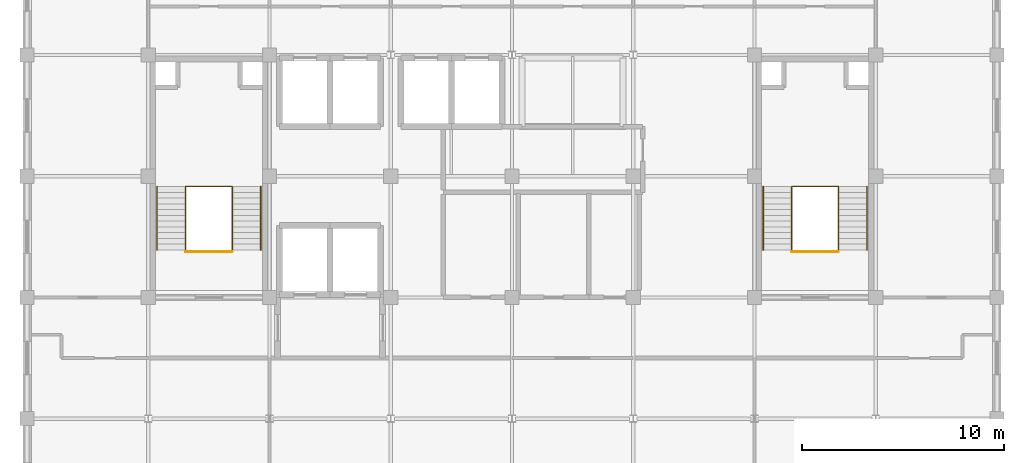
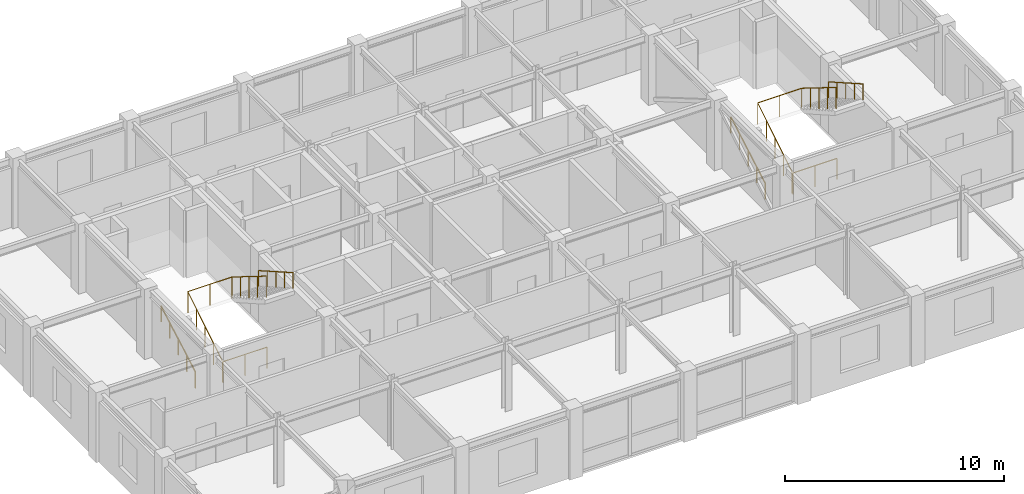
# One storey, part 13 of 13: 8 railings.
"""IFC4 building model written with IfcOpenShell, lengths in metres."""

from ifc_helpers import new_model, si_unit, direction, frame, origin, origin_2d, place, context, subcontext, project, spatial, circle, extrude, material, type_object, element, save


model = new_model("IFC4")

# Units and contexts
model_context = context("Model", 3, precision=1e-05, world=origin(), true_north=direction((0.0, 1.0)))
body_context = subcontext(model_context, "Body", "Model", "MODEL_VIEW")
ifc_project = project(units=[si_unit("LENGTHUNIT", "METRE"), si_unit("AREAUNIT", "SQUARE_METRE"), si_unit("VOLUMEUNIT", "CUBIC_METRE"), si_unit("PLANEANGLEUNIT", "RADIAN"), si_unit("MASSUNIT", "GRAM", prefix="KILO")], contexts=[model_context])

# Site, building, storey
site_placement = place(None, origin())
site = spatial("IfcSite", under=ifc_project, at=site_placement, CompositionType="ELEMENT")
building_placement = place(site_placement, origin())
building = spatial("IfcBuilding", under=site, at=building_placement, Name="Zlatovratsky Civic Hall", CompositionType="ELEMENT")
storey_placement = place(building_placement, frame((0.0, 0.0, 44.39990234375)))
storey = spatial("IfcBuildingStorey", under=building, at=storey_placement, Name="L11", CompositionType="ELEMENT", Elevation=44.39990234375)

# Railings
ifc_material = material(Name="Brushed stainless steel AISI 304", Category="steel")
railing_type_1 = type_object("IfcRailingType", Name="Railing_Guardrail_1200", PredefinedType="GUARDRAIL", material=ifc_material)
railing_1_placement = place(storey_placement, frame((67.840087890625, 86.35009765625, 0.0)))
element("IfcRailing", 1, at=railing_1_placement, inside=storey, type_object=railing_type_1, Name="RL-0544", PredefinedType="GUARDRAIL", context=body_context, shape_type="SweptSolid", body=[
    extrude(circle(Radius=0.02392578125, at=origin_2d()), frame((0.0, 0.0, 1.17578125), z_axis=(0.0, 0.849114602454, 0.528208663219), x_axis=(-1.0, 0.0, 0.0)), (0.0, 0.0, 1.0), 3.692138671875),
    extrude(circle(Radius=0.02392578125, at=origin_2d()), frame((0.0, 3.135009765625, 3.1259765625), z_axis=(1.0, 0.0, 0.0), x_axis=(0.0, 1.0, 0.0)), (0.0, 0.0, 1.0), 2.31982421875),
    extrude(circle(Radius=0.02392578125, at=origin_2d()), frame((2.31982421875, 3.135009765625, 3.1259765625), z_axis=(0.0, -0.849144259976, 0.528160984692), x_axis=(1.0, 0.0, 0.0)), (0.0, 0.0, 1.0), 3.69189453125),
    extrude(circle(Radius=0.02099609375, at=origin_2d()), origin(), (0.0, 0.0, 1.0), 1.15185546875),
    extrude(circle(Radius=0.02099609375, at=origin_2d()), frame((0.0, 0.78369140625, 0.487548828125)), (0.0, 0.0, 1.0), 1.15185546875),
    extrude(circle(Radius=0.02099609375, at=origin_2d()), frame((0.0, 1.5673828125, 0.97509765625)), (0.0, 0.0, 1.0), 1.15185546875),
    extrude(circle(Radius=0.02099609375, at=origin_2d()), frame((0.0, 2.351318359375, 1.462646484375)), (0.0, 0.0, 1.0), 1.15185546875),
    extrude(circle(Radius=0.02099609375, at=origin_2d()), frame((0.0, 3.135009765625, 1.9501953125)), (0.0, 0.0, 1.0), 1.15185546875),
    extrude(circle(Radius=0.02099609375, at=origin_2d()), frame((1.159912109375, 3.135009765625, 1.9501953125)), (0.0, 0.0, 1.0), 1.15185546875),
    extrude(circle(Radius=0.02099609375, at=origin_2d()), frame((2.31982421875, 3.135009765625, 1.9501953125)), (0.0, 0.0, 1.0), 1.15185546875),
    extrude(circle(Radius=0.02099609375, at=origin_2d()), frame((2.31982421875, 2.351318359375, 2.437744140625)), (0.0, 0.0, 1.0), 1.15185546875),
    extrude(circle(Radius=0.02099609375, at=origin_2d()), frame((2.31982421875, 1.5673828125, 2.92529296875)), (0.0, 0.0, 1.0), 1.15185546875),
    extrude(circle(Radius=0.02099609375, at=origin_2d()), frame((2.31982421875, 0.78369140625, 3.41259765625)), (0.0, 0.0, 1.0), 1.15185546875),
    extrude(circle(Radius=0.02099609375, at=origin_2d()), frame((2.31982421875, 0.0, 3.900146484375)), (0.0, 0.0, 1.0), 1.15185546875),
])
railing_2_placement = place(storey_placement, frame((67.840087890625, 86.27001953125, 0.0)))
element("IfcRailing", 2, at=railing_2_placement, inside=storey, type_object=railing_type_1, Name="RL-0547", PredefinedType="GUARDRAIL", context=body_context, shape_type="SweptSolid", body=[
    extrude(circle(Radius=0.02392578125, at=origin_2d()), frame((0.0, 0.0, 1.17578125), z_axis=(1.0, 0.0, 0.0), x_axis=(0.0, 1.0, 0.0)), (0.0, 0.0, 1.0), 2.31982421875),
    extrude(circle(Radius=0.02099609375, at=origin_2d()), origin(), (0.0, 0.0, 1.0), 1.15185546875),
    extrude(circle(Radius=0.02099609375, at=origin_2d()), frame((1.159912109375, 0.0, 0.0)), (0.0, 0.0, 1.0), 1.15185546875),
    extrude(circle(Radius=0.02099609375, at=origin_2d()), frame((2.31982421875, 0.0, 0.0)), (0.0, 0.0, 1.0), 1.15185546875),
])
railing_3_placement = place(storey_placement, frame((97.840087890625, 86.35009765625, 0.0)))
element("IfcRailing", 3, at=railing_3_placement, inside=storey, type_object=railing_type_1, Name="RL-0620", PredefinedType="GUARDRAIL", context=body_context, shape_type="SweptSolid", body=[
    extrude(circle(Radius=0.02392578125, at=origin_2d()), frame((0.0, 0.0, 1.17578125), z_axis=(0.0, 0.849114602454, 0.528208663219), x_axis=(-1.0, 0.0, 0.0)), (0.0, 0.0, 1.0), 3.692138671875),
    extrude(circle(Radius=0.02392578125, at=origin_2d()), frame((0.0, 3.135009765625, 3.1259765625), z_axis=(1.0, 0.0, 0.0), x_axis=(0.0, 1.0, 0.0)), (0.0, 0.0, 1.0), 2.31982421875),
    extrude(circle(Radius=0.02392578125, at=origin_2d()), frame((2.31982421875, 3.135009765625, 3.1259765625), z_axis=(0.0, -0.849144259976, 0.528160984692), x_axis=(1.0, 0.0, 0.0)), (0.0, 0.0, 1.0), 3.69189453125),
    extrude(circle(Radius=0.02099609375, at=origin_2d()), origin(), (0.0, 0.0, 1.0), 1.15185546875),
    extrude(circle(Radius=0.02099609375, at=origin_2d()), frame((0.0, 0.78369140625, 0.487548828125)), (0.0, 0.0, 1.0), 1.15185546875),
    extrude(circle(Radius=0.02099609375, at=origin_2d()), frame((0.0, 1.5673828125, 0.97509765625)), (0.0, 0.0, 1.0), 1.15185546875),
    extrude(circle(Radius=0.02099609375, at=origin_2d()), frame((0.0, 2.351318359375, 1.462646484375)), (0.0, 0.0, 1.0), 1.15185546875),
    extrude(circle(Radius=0.02099609375, at=origin_2d()), frame((0.0, 3.135009765625, 1.9501953125)), (0.0, 0.0, 1.0), 1.15185546875),
    extrude(circle(Radius=0.02099609375, at=origin_2d()), frame((1.159912109375, 3.135009765625, 1.9501953125)), (0.0, 0.0, 1.0), 1.15185546875),
    extrude(circle(Radius=0.02099609375, at=origin_2d()), frame((2.31982421875, 3.135009765625, 1.9501953125)), (0.0, 0.0, 1.0), 1.15185546875),
    extrude(circle(Radius=0.02099609375, at=origin_2d()), frame((2.31982421875, 2.351318359375, 2.437744140625)), (0.0, 0.0, 1.0), 1.15185546875),
    extrude(circle(Radius=0.02099609375, at=origin_2d()), frame((2.31982421875, 1.5673828125, 2.92529296875)), (0.0, 0.0, 1.0), 1.15185546875),
    extrude(circle(Radius=0.02099609375, at=origin_2d()), frame((2.31982421875, 0.78369140625, 3.41259765625)), (0.0, 0.0, 1.0), 1.15185546875),
    extrude(circle(Radius=0.02099609375, at=origin_2d()), frame((2.31982421875, 0.0, 3.900146484375)), (0.0, 0.0, 1.0), 1.15185546875),
])
railing_4_placement = place(storey_placement, frame((97.840087890625, 86.27001953125, 0.0)))
element("IfcRailing", 4, at=railing_4_placement, inside=storey, type_object=railing_type_1, Name="RL-0623", PredefinedType="GUARDRAIL", context=body_context, shape_type="SweptSolid", body=[
    extrude(circle(Radius=0.02392578125, at=origin_2d()), frame((0.0, 0.0, 1.17578125), z_axis=(1.0, 0.0, 0.0), x_axis=(0.0, 1.0, 0.0)), (0.0, 0.0, 1.0), 2.31982421875),
    extrude(circle(Radius=0.02099609375, at=origin_2d()), origin(), (0.0, 0.0, 1.0), 1.15185546875),
    extrude(circle(Radius=0.02099609375, at=origin_2d()), frame((1.159912109375, 0.0, 0.0)), (0.0, 0.0, 1.0), 1.15185546875),
    extrude(circle(Radius=0.02099609375, at=origin_2d()), frame((2.31982421875, 0.0, 0.0)), (0.0, 0.0, 1.0), 1.15185546875),
])
railing_type_2 = type_object("IfcRailingType", Name="Railing_Handrail_900", PredefinedType="HANDRAIL", material=ifc_material)
railing_5_placement = place(storey_placement, frame((66.429931640625, 86.35009765625, 0.162109375)))
element("IfcRailing", 5, at=railing_5_placement, inside=storey, type_object=railing_type_2, Name="RL-0545", PredefinedType="HANDRAIL", context=body_context, shape_type="SweptSolid", body=[
    extrude(circle(Radius=0.02392578125, at=origin_2d()), frame((0.0, 0.0, 0.8759765625), z_axis=(0.0, 0.868642492313, 0.495439421673), x_axis=(-1.0, 0.0, 0.0)), (0.0, 0.0, 1.0), 3.609130859375),
    extrude(circle(Radius=0.02099609375, at=origin_2d()), origin(), (0.0, 0.0, 1.0), 0.851806640625),
    extrude(circle(Radius=0.02099609375, at=origin_2d()), frame((0.0, 0.78369140625, 0.447021484375)), (0.0, 0.0, 1.0), 0.851806640625),
    extrude(circle(Radius=0.02099609375, at=origin_2d()), frame((0.0, 1.5673828125, 0.89404296875)), (0.0, 0.0, 1.0), 0.851806640625),
    extrude(circle(Radius=0.02099609375, at=origin_2d()), frame((0.0, 2.351318359375, 1.341064453125)), (0.0, 0.0, 1.0), 0.851806640625),
    extrude(circle(Radius=0.02099609375, at=origin_2d()), frame((0.0, 3.135009765625, 1.7880859375)), (0.0, 0.0, 1.0), 0.851806640625),
])
railing_6_placement = place(storey_placement, frame((71.570068359375, 89.485107421875, 2.113037109375)))
element("IfcRailing", 6, at=railing_6_placement, inside=storey, type_object=railing_type_2, Name="RL-0546", PredefinedType="HANDRAIL", context=body_context, shape_type="SweptSolid", body=[
    extrude(circle(Radius=0.02392578125, at=origin_2d()), frame((0.0, 0.0, 0.8759765625), z_axis=(0.0, -0.868758932409, 0.495235214176), x_axis=(1.0, 0.0, 0.0)), (0.0, 0.0, 1.0), 3.608642578125),
    extrude(circle(Radius=0.02099609375, at=origin_2d()), origin(), (0.0, 0.0, 1.0), 0.851806640625),
    extrude(circle(Radius=0.02099609375, at=origin_2d()), frame((0.0, -0.78369140625, 0.44677734375)), (0.0, 0.0, 1.0), 0.851806640625),
    extrude(circle(Radius=0.02099609375, at=origin_2d()), frame((0.0, -1.5673828125, 0.8935546875)), (0.0, 0.0, 1.0), 0.851806640625),
    extrude(circle(Radius=0.02099609375, at=origin_2d()), frame((0.0, -2.351318359375, 1.34033203125)), (0.0, 0.0, 1.0), 0.851806640625),
    extrude(circle(Radius=0.02099609375, at=origin_2d()), frame((0.0, -3.135009765625, 1.787109375)), (0.0, 0.0, 1.0), 0.851806640625),
])
railing_7_placement = place(storey_placement, frame((96.429931640625, 86.35009765625, 0.162109375)))
element("IfcRailing", 7, at=railing_7_placement, inside=storey, type_object=railing_type_2, Name="RL-0621", PredefinedType="HANDRAIL", context=body_context, shape_type="SweptSolid", body=[
    extrude(circle(Radius=0.02392578125, at=origin_2d()), frame((0.0, 0.0, 0.8759765625), z_axis=(0.0, 0.868642492313, 0.495439421673), x_axis=(-1.0, 0.0, 0.0)), (0.0, 0.0, 1.0), 3.609130859375),
    extrude(circle(Radius=0.02099609375, at=origin_2d()), origin(), (0.0, 0.0, 1.0), 0.851806640625),
    extrude(circle(Radius=0.02099609375, at=origin_2d()), frame((0.0, 0.78369140625, 0.447021484375)), (0.0, 0.0, 1.0), 0.851806640625),
    extrude(circle(Radius=0.02099609375, at=origin_2d()), frame((0.0, 1.5673828125, 0.89404296875)), (0.0, 0.0, 1.0), 0.851806640625),
    extrude(circle(Radius=0.02099609375, at=origin_2d()), frame((0.0, 2.351318359375, 1.341064453125)), (0.0, 0.0, 1.0), 0.851806640625),
    extrude(circle(Radius=0.02099609375, at=origin_2d()), frame((0.0, 3.135009765625, 1.7880859375)), (0.0, 0.0, 1.0), 0.851806640625),
])
railing_8_placement = place(storey_placement, frame((101.570068359375, 89.485107421875, 2.113037109375)))
element("IfcRailing", 8, at=railing_8_placement, inside=storey, type_object=railing_type_2, Name="RL-0622", PredefinedType="HANDRAIL", context=body_context, shape_type="SweptSolid", body=[
    extrude(circle(Radius=0.02392578125, at=origin_2d()), frame((0.0, 0.0, 0.8759765625), z_axis=(0.0, -0.868758932409, 0.495235214176), x_axis=(1.0, 0.0, 0.0)), (0.0, 0.0, 1.0), 3.608642578125),
    extrude(circle(Radius=0.02099609375, at=origin_2d()), origin(), (0.0, 0.0, 1.0), 0.851806640625),
    extrude(circle(Radius=0.02099609375, at=origin_2d()), frame((0.0, -0.78369140625, 0.44677734375)), (0.0, 0.0, 1.0), 0.851806640625),
    extrude(circle(Radius=0.02099609375, at=origin_2d()), frame((0.0, -1.5673828125, 0.8935546875)), (0.0, 0.0, 1.0), 0.851806640625),
    extrude(circle(Radius=0.02099609375, at=origin_2d()), frame((0.0, -2.351318359375, 1.34033203125)), (0.0, 0.0, 1.0), 0.851806640625),
    extrude(circle(Radius=0.02099609375, at=origin_2d()), frame((0.0, -3.135009765625, 1.787109375)), (0.0, 0.0, 1.0), 0.851806640625),
])

save(model, "model.ifc")
